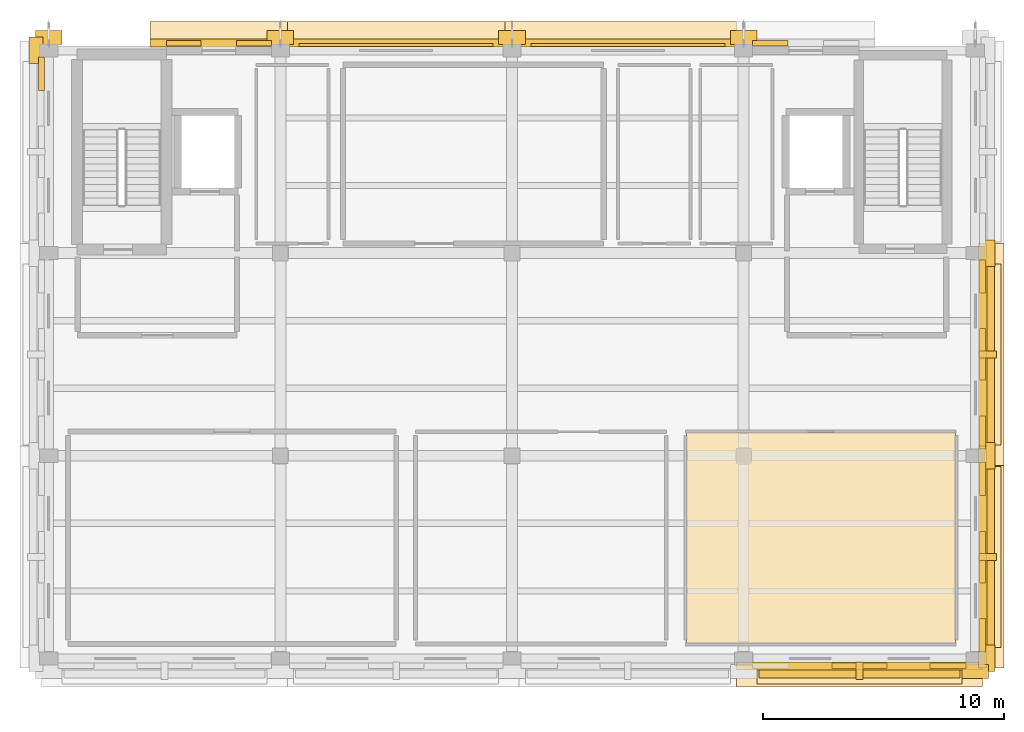
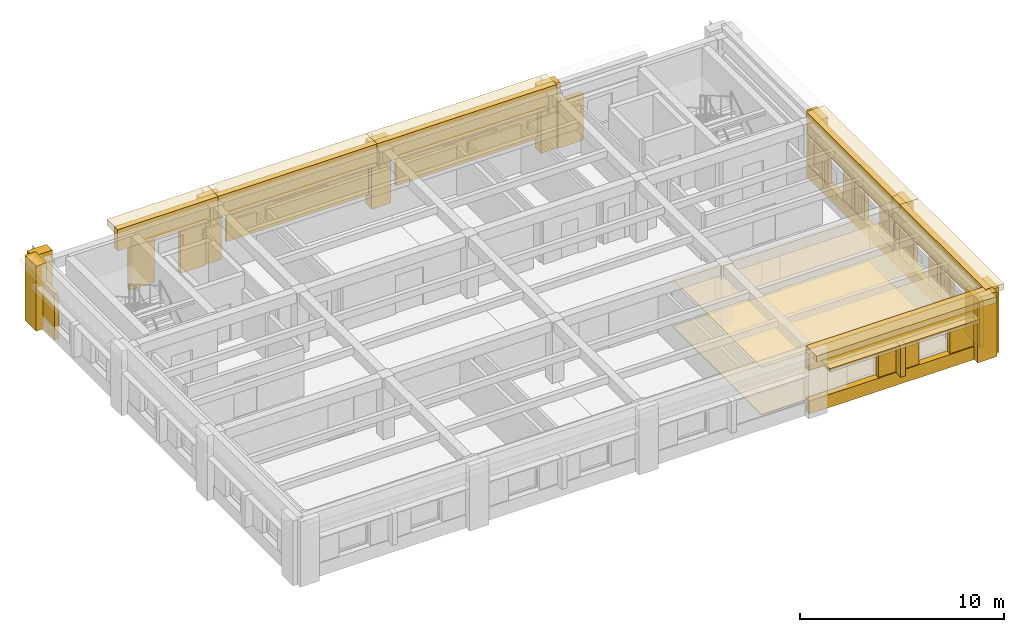
# One storey, part 8 of 9: 44 coverings, 5 shading devices.
"""IFC4 building model written with IfcOpenShell, lengths in metres."""

from ifc_helpers import new_model, si_unit, direction, frame, origin, origin_2d, place, context, subcontext, project, spatial, polyline, rectangle, outline, extrude, material, layer, layer_set, type_object, element, save


model = new_model("IFC4")

# Units and contexts
model_context = context("Model", 3, precision=1e-05, world=origin(), true_north=direction((0.0, 1.0)))
body_context = subcontext(model_context, "Body", "Model", "MODEL_VIEW")
ifc_project = project(units=[si_unit("LENGTHUNIT", "METRE"), si_unit("AREAUNIT", "SQUARE_METRE"), si_unit("VOLUMEUNIT", "CUBIC_METRE"), si_unit("PLANEANGLEUNIT", "RADIAN"), si_unit("MASSUNIT", "GRAM", prefix="KILO")], contexts=[model_context])

# Site, building, storey
site_placement = place(None, origin())
site = spatial("IfcSite", under=ifc_project, at=site_placement, CompositionType="ELEMENT")
building_placement = place(site_placement, origin())
building = spatial("IfcBuilding", under=site, at=building_placement, Name="Bempovik Park Faculty of Sciences", CompositionType="ELEMENT")
storey_placement = place(building_placement, frame((0.0, 0.0, 46.199951171875)))
storey = spatial("IfcBuildingStorey", under=building, at=storey_placement, Name="L11", CompositionType="ELEMENT", Elevation=46.199951171875)

# Coverings
ifc_material_1 = material(Name="Acoustic mineral ceiling tile")
ifc_layer_1 = layer(ifc_material_1, 0.0400390625)
ifc_layer_set_1 = layer_set([ifc_layer_1], Name="Acoustic mineral ceiling tile")
covering_type_1 = type_object("IfcCoveringType", Name="CE-01 Acoustic Ceiling 40mm", PredefinedType="CEILING", material=ifc_layer_set_1)
covering_1_placement = place(storey_placement, frame((0.0, 0.0, 2.81005859375)))
element("IfcCovering", 1, at=covering_1_placement, inside=storey, type_object=covering_type_1, Name="L11 Faculty Advisory Boardroom Acoustic Ceiling", PredefinedType="CEILING", context=body_context, shape_type="SweptSolid", body=[
    extrude(outline(polyline([(96.030029296875, 94.830078125), (107.169921875, 94.830078125), (107.169921875, 103.570068359375), (96.030029296875, 103.570068359375), (96.030029296875, 94.830078125)])), origin(), (0.0, 0.0, 1.0), 0.0400390625),
])
ifc_material_2 = material(Name="Precast concrete C40/50", Category="concrete")
ifc_layer_2 = layer(ifc_material_2, 0.179931640625)
ifc_layer_set_2 = layer_set([ifc_layer_2], Name="Precast concrete C40/50")
covering_type_2 = type_object("IfcCoveringType", Name="CL-02 Classical Cornice Band 180mm", PredefinedType="CLADDING", material=ifc_layer_set_2)
covering_2_placement = place(storey_placement, frame((108.6650390625, 98.39990234375, 3.5400390625), z_axis=(0.0, 0.0, 1.0), x_axis=(1.0, 0.0, 0.0)))
element("IfcCovering", 2, at=covering_2_placement, inside=storey, type_object=covering_type_2, Name="L11 Classical Projecting Dentil Cornice EW-L11-11289", PredefinedType="CLADDING", context=body_context, shape_type="SweptSolid", body=[
    extrude(rectangle(XDim=1.050048828125, YDim=9.196044921875, at=origin_2d()), origin(), (0.0, 0.0, 1.0), 0.360107421875),
])
covering_3_placement = place(storey_placement, frame((108.60009765625, 98.39990234375, 2.60986328125), z_axis=(0.0, 0.0, 1.0), x_axis=(1.0, 0.0, 0.0)))
element("IfcCovering", 3, at=covering_3_placement, inside=storey, type_object=covering_type_2, Name="L11 Classical Stone Solar Window Hood EW-L11-11289", PredefinedType="CLADDING", context=body_context, shape_type="SweptSolid", body=[
    extrude(rectangle(XDim=0.919921875, YDim=7.49609375, at=origin_2d()), origin(), (0.0, 0.0, 1.0), 0.219970703125),
])
covering_4_placement = place(storey_placement, frame((108.6650390625, 106.800048828125, 3.5400390625), z_axis=(0.0, 0.0, 1.0), x_axis=(1.0, 0.0, 0.0)))
element("IfcCovering", 4, at=covering_4_placement, inside=storey, type_object=covering_type_2, Name="L11 Classical Projecting Dentil Cornice EW-L11-11303", PredefinedType="CLADDING", context=body_context, shape_type="SweptSolid", body=[
    extrude(rectangle(XDim=1.050048828125, YDim=9.196044921875, at=origin_2d()), origin(), (0.0, 0.0, 1.0), 0.360107421875),
])
covering_5_placement = place(storey_placement, frame((108.60009765625, 106.800048828125, 2.60986328125), z_axis=(0.0, 0.0, 1.0), x_axis=(1.0, 0.0, 0.0)))
element("IfcCovering", 5, at=covering_5_placement, inside=storey, type_object=covering_type_2, Name="L11 Classical Stone Solar Window Hood EW-L11-11303", PredefinedType="CLADDING", context=body_context, shape_type="SweptSolid", body=[
    extrude(rectangle(XDim=0.919921875, YDim=7.49609375, at=origin_2d()), origin(), (0.0, 0.0, 1.0), 0.219970703125),
])
covering_6_placement = place(storey_placement, frame((76.6494140625, 120.06494140625, 3.5400390625), z_axis=(0.0, 0.0, 1.0), x_axis=(1.0, 0.0, 0.0)))
element("IfcCovering", 6, at=covering_6_placement, inside=storey, type_object=covering_type_2, Name="L11 Classical Projecting Dentil Cornice EW-L11-11329", PredefinedType="CLADDING", context=body_context, shape_type="SweptSolid", body=[
    extrude(rectangle(XDim=5.697021484375, YDim=1.050048828125, at=origin_2d()), origin(), (0.0, 0.0, 1.0), 0.360107421875),
])
for number, where, z_axis, x_axis, name in (
    (7, (84.0, 120.06494140625, 3.5400390625), (0.0, 0.0, 1.0), (1.0, 0.0, 0.0), "L11 Classical Projecting Dentil Cornice EW-L11-11337"),
    (8, (93.60009765625, 120.06494140625, 3.5400390625), (0.0, 0.0, 1.0), (1.0, 0.0, 0.0), "L11 Classical Projecting Dentil Cornice EW-L11-11343"),
    (9, (103.199951171875, 93.534912109375, 3.5400390625), (0.0, 0.0, 1.0), (1.0, 0.0, 0.0), "L11 Classical Projecting Dentil Cornice EW-L11-11434"),
):
    element("IfcCovering", number, at=place(storey_placement, frame(where, z_axis=z_axis, x_axis=x_axis)), inside=storey, type_object=covering_type_2, Name=name, PredefinedType="CLADDING", context=body_context, shape_type="SweptSolid", body=[
        extrude(rectangle(XDim=10.196044921875, YDim=1.050048828125, at=origin_2d()), origin(), (0.0, 0.0, 1.0), 0.360107421875),
    ])
covering_7_placement = place(storey_placement, frame((103.199951171875, 93.60009765625, 2.56005859375), z_axis=(0.0, 0.0, 1.0), x_axis=(1.0, 0.0, 0.0)))
element("IfcCovering", 10, at=covering_7_placement, inside=storey, type_object=covering_type_2, Name="L11 Classical Stone Solar Window Hood EW-L11-11434", PredefinedType="CLADDING", context=body_context, shape_type="SweptSolid", body=[
    extrude(rectangle(XDim=8.49609375, YDim=0.919921875, at=origin_2d()), origin(), (0.0, 0.0, 1.0), 0.219970703125),
])
ifc_material_3 = material(Name="White reconstituted limestone precast C40/50", Category="masonry")
ifc_layer_3 = layer(ifc_material_3, 0.239990234375)
ifc_layer_set_3 = layer_set([ifc_layer_3], Name="White reconstituted limestone precast C40/50")
covering_type_3 = type_object("IfcCoveringType", Name="CL-03 Classical Fluted Limestone Pilaster 240mm", PredefinedType="CLADDING", material=ifc_layer_set_3)
covering_8_placement = place(storey_placement, frame((108.31005859375, 98.39990234375, 2.6201171875), z_axis=(0.0, 0.0, 1.0), x_axis=(1.0, 0.0, 0.0)))
element("IfcCovering", 11, at=covering_8_placement, inside=storey, type_object=covering_type_3, Name="L11 Classical Limestone Spandrel Entablature EW-L11-11289", PredefinedType="CLADDING", context=body_context, shape_type="SweptSolid", body=[
    extrude(rectangle(XDim=0.340087890625, YDim=9.196044921875, at=origin_2d()), origin(), (0.0, 0.0, 1.0), 1.280029296875),
])
covering_9_placement = place(storey_placement, frame((108.31005859375, 98.39990234375, 0.0), z_axis=(0.0, 0.0, 1.0), x_axis=(1.0, 0.0, 0.0)))
element("IfcCovering", 12, at=covering_9_placement, inside=storey, type_object=covering_type_3, Name="L11 Classical Limestone Sill Dado EW-L11-11289", PredefinedType="CLADDING", context=body_context, shape_type="SweptSolid", body=[
    extrude(rectangle(XDim=0.340087890625, YDim=9.196044921875, at=origin_2d()), origin(), (0.0, 0.0, 1.0), 0.780029296875),
])
for number, where, z_axis, x_axis, name in (
    (13, (108.530029296875, 94.199951171875, 0.0), (0.0, 0.0, 1.0), (1.0, 0.0, 0.0), "L11 Classical Fluted Stone Pilaster PIL-BA-L11-1085-942"),
    (14, (108.530029296875, 102.60009765625, 0.0), (0.0, 0.0, 1.0), (1.0, 0.0, 0.0), "L11 Classical Fluted Stone Pilaster PIL-BA-L11-1085-1026"),
):
    element("IfcCovering", number, at=place(storey_placement, frame(where, z_axis=z_axis, x_axis=x_axis)), inside=storey, type_object=covering_type_3, Name=name, PredefinedType="CLADDING", context=body_context, shape_type="SweptSolid", body=[
        extrude(rectangle(XDim=0.580078125, YDim=1.10009765625, at=origin_2d()), origin(), (0.0, 0.0, 1.0), 3.89990234375),
    ])
covering_10_placement = place(storey_placement, frame((108.300048828125, 95.166259765625, 0.0), z_axis=(0.0, 0.0, 1.0), x_axis=(1.0, 0.0, 0.0)))
element("IfcCovering", 15, at=covering_10_placement, inside=storey, type_object=covering_type_3, Name="L11 White Limestone Wall Cheek EW-L11-11289-0", PredefinedType="CLADDING", context=body_context, shape_type="SweptSolid", body=[
    extrude(rectangle(XDim=0.239990234375, YDim=1.37841796875, at=origin_2d()), origin(), (0.0, 0.0, 1.0), 2.780029296875),
])
covering_11_placement = place(storey_placement, frame((108.300048828125, 98.39990234375, 0.0), z_axis=(0.0, 0.0, 1.0), x_axis=(1.0, 0.0, 0.0)))
element("IfcCovering", 16, at=covering_11_placement, inside=storey, type_object=covering_type_3, Name="L11 White Limestone Wall Cheek EW-L11-11289-2", PredefinedType="CLADDING", context=body_context, shape_type="SweptSolid", body=[
    extrude(rectangle(XDim=0.239990234375, YDim=2.129150390625, at=origin_2d()), origin(), (0.0, 0.0, 1.0), 2.780029296875),
])
covering_12_placement = place(storey_placement, frame((108.300048828125, 101.6337890625, 0.0), z_axis=(0.0, 0.0, 1.0), x_axis=(1.0, 0.0, 0.0)))
element("IfcCovering", 17, at=covering_12_placement, inside=storey, type_object=covering_type_3, Name="L11 White Limestone Wall Cheek EW-L11-11289-4", PredefinedType="CLADDING", context=body_context, shape_type="SweptSolid", body=[
    extrude(rectangle(XDim=0.239990234375, YDim=1.37841796875, at=origin_2d()), origin(), (0.0, 0.0, 1.0), 2.780029296875),
])
covering_13_placement = place(storey_placement, frame((108.510009765625, 98.39990234375, 0.7001953125), z_axis=(0.0, 0.0, 1.0), x_axis=(1.0, 0.0, 0.0)))
element("IfcCovering", 18, at=covering_13_placement, inside=storey, type_object=covering_type_3, Name="L11 Classical Vertical Stone Shading Fin EW-L11-11289", PredefinedType="CLADDING", context=body_context, shape_type="SweptSolid", body=[
    extrude(rectangle(XDim=0.719970703125, YDim=0.280029296875, at=origin_2d()), origin(), (0.0, 0.0, 1.0), 1.949951171875),
])
covering_14_placement = place(storey_placement, frame((108.31005859375, 106.800048828125, 2.6201171875), z_axis=(0.0, 0.0, 1.0), x_axis=(1.0, 0.0, 0.0)))
element("IfcCovering", 19, at=covering_14_placement, inside=storey, type_object=covering_type_3, Name="L11 Classical Limestone Spandrel Entablature EW-L11-11303", PredefinedType="CLADDING", context=body_context, shape_type="SweptSolid", body=[
    extrude(rectangle(XDim=0.340087890625, YDim=9.196044921875, at=origin_2d()), origin(), (0.0, 0.0, 1.0), 1.280029296875),
])
covering_15_placement = place(storey_placement, frame((108.31005859375, 106.800048828125, 0.0), z_axis=(0.0, 0.0, 1.0), x_axis=(1.0, 0.0, 0.0)))
element("IfcCovering", 20, at=covering_15_placement, inside=storey, type_object=covering_type_3, Name="L11 Classical Limestone Sill Dado EW-L11-11303", PredefinedType="CLADDING", context=body_context, shape_type="SweptSolid", body=[
    extrude(rectangle(XDim=0.340087890625, YDim=9.196044921875, at=origin_2d()), origin(), (0.0, 0.0, 1.0), 0.780029296875),
])
covering_16_placement = place(storey_placement, frame((108.530029296875, 111.0, 0.0), z_axis=(0.0, 0.0, 1.0), x_axis=(1.0, 0.0, 0.0)))
element("IfcCovering", 21, at=covering_16_placement, inside=storey, type_object=covering_type_3, Name="L11 Classical Fluted Stone Pilaster PIL-BA-L11-1085-1110", PredefinedType="CLADDING", context=body_context, shape_type="SweptSolid", body=[
    extrude(rectangle(XDim=0.580078125, YDim=1.10009765625, at=origin_2d()), origin(), (0.0, 0.0, 1.0), 3.89990234375),
])
covering_17_placement = place(storey_placement, frame((108.300048828125, 103.566162109375, 0.0), z_axis=(0.0, 0.0, 1.0), x_axis=(1.0, 0.0, 0.0)))
element("IfcCovering", 22, at=covering_17_placement, inside=storey, type_object=covering_type_3, Name="L11 White Limestone Wall Cheek EW-L11-11303-0", PredefinedType="CLADDING", context=body_context, shape_type="SweptSolid", body=[
    extrude(rectangle(XDim=0.239990234375, YDim=1.37841796875, at=origin_2d()), origin(), (0.0, 0.0, 1.0), 2.780029296875),
])
covering_18_placement = place(storey_placement, frame((108.300048828125, 106.800048828125, 0.0), z_axis=(0.0, 0.0, 1.0), x_axis=(1.0, 0.0, 0.0)))
element("IfcCovering", 23, at=covering_18_placement, inside=storey, type_object=covering_type_3, Name="L11 White Limestone Wall Cheek EW-L11-11303-2", PredefinedType="CLADDING", context=body_context, shape_type="SweptSolid", body=[
    extrude(rectangle(XDim=0.239990234375, YDim=2.129150390625, at=origin_2d()), origin(), (0.0, 0.0, 1.0), 2.780029296875),
])
covering_19_placement = place(storey_placement, frame((108.300048828125, 110.03369140625, 0.0), z_axis=(0.0, 0.0, 1.0), x_axis=(1.0, 0.0, 0.0)))
element("IfcCovering", 24, at=covering_19_placement, inside=storey, type_object=covering_type_3, Name="L11 White Limestone Wall Cheek EW-L11-11303-4", PredefinedType="CLADDING", context=body_context, shape_type="SweptSolid", body=[
    extrude(rectangle(XDim=0.239990234375, YDim=1.37841796875, at=origin_2d()), origin(), (0.0, 0.0, 1.0), 2.780029296875),
])
covering_20_placement = place(storey_placement, frame((108.510009765625, 106.800048828125, 0.7001953125), z_axis=(0.0, 0.0, 1.0), x_axis=(1.0, 0.0, 0.0)))
element("IfcCovering", 25, at=covering_20_placement, inside=storey, type_object=covering_type_3, Name="L11 Classical Vertical Stone Shading Fin EW-L11-11303", PredefinedType="CLADDING", context=body_context, shape_type="SweptSolid", body=[
    extrude(rectangle(XDim=0.719970703125, YDim=0.280029296875, at=origin_2d()), origin(), (0.0, 0.0, 1.0), 1.949951171875),
])
covering_21_placement = place(storey_placement, frame((76.6494140625, 119.7099609375, 2.6201171875), z_axis=(0.0, 0.0, 1.0), x_axis=(1.0, 0.0, 0.0)))
element("IfcCovering", 26, at=covering_21_placement, inside=storey, type_object=covering_type_3, Name="L11 Classical Limestone Spandrel Entablature EW-L11-11329", PredefinedType="CLADDING", context=body_context, shape_type="SweptSolid", body=[
    extrude(rectangle(XDim=5.697021484375, YDim=0.340087890625, at=origin_2d()), origin(), (0.0, 0.0, 1.0), 1.280029296875),
])
for number, where, z_axis, x_axis, name in (
    (27, (69.60009765625, 119.929931640625, 0.0), (0.0, 0.0, 1.0), (1.0, 0.0, 0.0), "L11 Classical Fluted Stone Pilaster PIL-BA-L11-696-1199"),
    (28, (79.199951171875, 119.929931640625, 0.0), (0.0, 0.0, 1.0), (1.0, 0.0, 0.0), "L11 Classical Fluted Stone Pilaster PIL-BA-L11-792-1199"),
):
    element("IfcCovering", number, at=place(storey_placement, frame(where, z_axis=z_axis, x_axis=x_axis)), inside=storey, type_object=covering_type_3, Name=name, PredefinedType="CLADDING", context=body_context, shape_type="SweptSolid", body=[
        extrude(rectangle(XDim=1.10009765625, YDim=0.580078125, at=origin_2d()), origin(), (0.0, 0.0, 1.0), 3.89990234375),
    ])
for number, where, z_axis, x_axis, name in (
    (29, (75.19287109375, 119.699951171875, 0.0), (0.0, 0.0, 1.0), (1.0, 0.0, 0.0), "L11 Stairwell White Limestone Cheek EW-L11-11329-1"),
    (30, (78.106201171875, 119.699951171875, 0.0), (0.0, 0.0, 1.0), (1.0, 0.0, 0.0), "L11 Stairwell White Limestone Cheek EW-L11-11329-2"),
):
    element("IfcCovering", number, at=place(storey_placement, frame(where, z_axis=z_axis, x_axis=x_axis)), inside=storey, type_object=covering_type_3, Name=name, PredefinedType="CLADDING", context=body_context, shape_type="SweptSolid", body=[
        extrude(rectangle(XDim=1.43359375, YDim=0.239990234375, at=origin_2d()), origin(), (0.0, 0.0, 1.0), 2.780029296875),
    ])
covering_22_placement = place(storey_placement, frame((84.0, 119.7099609375, 2.6201171875), z_axis=(0.0, 0.0, 1.0), x_axis=(1.0, 0.0, 0.0)))
element("IfcCovering", 31, at=covering_22_placement, inside=storey, type_object=covering_type_3, Name="L11 Classical Limestone Spandrel Entablature EW-L11-11337", PredefinedType="CLADDING", context=body_context, shape_type="SweptSolid", body=[
    extrude(rectangle(XDim=10.196044921875, YDim=0.340087890625, at=origin_2d()), origin(), (0.0, 0.0, 1.0), 1.280029296875),
])
covering_23_placement = place(storey_placement, frame((88.800048828125, 119.929931640625, 0.0), z_axis=(0.0, 0.0, 1.0), x_axis=(1.0, 0.0, 0.0)))
element("IfcCovering", 32, at=covering_23_placement, inside=storey, type_object=covering_type_3, Name="L11 Classical Fluted Stone Pilaster PIL-BA-L11-888-1199", PredefinedType="CLADDING", context=body_context, shape_type="SweptSolid", body=[
    extrude(rectangle(XDim=1.10009765625, YDim=0.580078125, at=origin_2d()), origin(), (0.0, 0.0, 1.0), 3.89990234375),
])
covering_24_placement = place(storey_placement, frame((93.60009765625, 119.7099609375, 2.6201171875), z_axis=(0.0, 0.0, 1.0), x_axis=(1.0, 0.0, 0.0)))
element("IfcCovering", 33, at=covering_24_placement, inside=storey, type_object=covering_type_3, Name="L11 Classical Limestone Spandrel Entablature EW-L11-11343", PredefinedType="CLADDING", context=body_context, shape_type="SweptSolid", body=[
    extrude(rectangle(XDim=10.196044921875, YDim=0.340087890625, at=origin_2d()), origin(), (0.0, 0.0, 1.0), 1.280029296875),
])
covering_25_placement = place(storey_placement, frame((98.39990234375, 119.929931640625, 0.0), z_axis=(0.0, 0.0, 1.0), x_axis=(1.0, 0.0, 0.0)))
element("IfcCovering", 34, at=covering_25_placement, inside=storey, type_object=covering_type_3, Name="L11 Classical Fluted Stone Pilaster PIL-BA-L11-984-1199", PredefinedType="CLADDING", context=body_context, shape_type="SweptSolid", body=[
    extrude(rectangle(XDim=1.10009765625, YDim=0.580078125, at=origin_2d()), origin(), (0.0, 0.0, 1.0), 3.89990234375),
])
covering_26_placement = place(storey_placement, frame((99.506103515625, 119.699951171875, 0.0), z_axis=(0.0, 0.0, 1.0), x_axis=(1.0, 0.0, 0.0)))
element("IfcCovering", 35, at=covering_26_placement, inside=storey, type_object=covering_type_3, Name="L11 Stairwell White Limestone Cheek EW-L11-11349-1", PredefinedType="CLADDING", context=body_context, shape_type="SweptSolid", body=[
    extrude(rectangle(XDim=1.45849609375, YDim=0.239990234375, at=origin_2d()), origin(), (0.0, 0.0, 1.0), 2.780029296875),
])
covering_27_placement = place(storey_placement, frame((69.070068359375, 119.39990234375, 0.0), z_axis=(0.0, 0.0, 1.0), x_axis=(1.0, 0.0, 0.0)))
element("IfcCovering", 36, at=covering_27_placement, inside=storey, type_object=covering_type_3, Name="L11 Classical Fluted Stone Pilaster PIL-BA-L11-691-1194", PredefinedType="CLADDING", context=body_context, shape_type="SweptSolid", body=[
    extrude(rectangle(XDim=0.580078125, YDim=1.10009765625, at=origin_2d()), origin(), (0.0, 0.0, 1.0), 3.89990234375),
])
covering_28_placement = place(storey_placement, frame((69.300048828125, 118.433837890625, 0.0), z_axis=(0.0, 0.0, 1.0), x_axis=(1.0, 0.0, 0.0)))
element("IfcCovering", 37, at=covering_28_placement, inside=storey, type_object=covering_type_3, Name="L11 White Limestone Wall Cheek EW-L11-11383-4", PredefinedType="CLADDING", context=body_context, shape_type="SweptSolid", body=[
    extrude(rectangle(XDim=0.239990234375, YDim=1.37841796875, at=origin_2d()), origin(), (0.0, 0.0, 1.0), 2.780029296875),
])
covering_29_placement = place(storey_placement, frame((103.199951171875, 93.889892578125, 2.6201171875), z_axis=(0.0, 0.0, 1.0), x_axis=(1.0, 0.0, 0.0)))
element("IfcCovering", 38, at=covering_29_placement, inside=storey, type_object=covering_type_3, Name="L11 Classical Limestone Spandrel Entablature EW-L11-11434", PredefinedType="CLADDING", context=body_context, shape_type="SweptSolid", body=[
    extrude(rectangle(XDim=10.196044921875, YDim=0.340087890625, at=origin_2d()), origin(), (0.0, 0.0, 1.0), 1.280029296875),
])
covering_30_placement = place(storey_placement, frame((103.199951171875, 93.889892578125, 0.0), z_axis=(0.0, 0.0, 1.0), x_axis=(1.0, 0.0, 0.0)))
element("IfcCovering", 39, at=covering_30_placement, inside=storey, type_object=covering_type_3, Name="L11 Classical Limestone Sill Dado EW-L11-11434", PredefinedType="CLADDING", context=body_context, shape_type="SweptSolid", body=[
    extrude(rectangle(XDim=10.196044921875, YDim=0.340087890625, at=origin_2d()), origin(), (0.0, 0.0, 1.0), 0.780029296875),
])
covering_31_placement = place(storey_placement, frame((108.0, 93.669921875, 0.0), z_axis=(0.0, 0.0, 1.0), x_axis=(1.0, 0.0, 0.0)))
element("IfcCovering", 40, at=covering_31_placement, inside=storey, type_object=covering_type_3, Name="L11 Classical Fluted Stone Pilaster PIL-BA-L11-1080-937", PredefinedType="CLADDING", context=body_context, shape_type="SweptSolid", body=[
    extrude(rectangle(XDim=1.10009765625, YDim=0.580078125, at=origin_2d()), origin(), (0.0, 0.0, 1.0), 3.89990234375),
])
covering_32_placement = place(storey_placement, frame((103.199951171875, 93.89990234375, 0.0), z_axis=(0.0, 0.0, 1.0), x_axis=(1.0, 0.0, 0.0)))
element("IfcCovering", 41, at=covering_32_placement, inside=storey, type_object=covering_type_3, Name="L11 White Limestone Wall Cheek EW-L11-11434-2", PredefinedType="CLADDING", context=body_context, shape_type="SweptSolid", body=[
    extrude(rectangle(XDim=2.289306640625, YDim=0.239990234375, at=origin_2d()), origin(), (0.0, 0.0, 1.0), 2.780029296875),
])
covering_33_placement = place(storey_placement, frame((106.873779296875, 93.89990234375, 0.0), z_axis=(0.0, 0.0, 1.0), x_axis=(1.0, 0.0, 0.0)))
element("IfcCovering", 42, at=covering_33_placement, inside=storey, type_object=covering_type_3, Name="L11 White Limestone Wall Cheek EW-L11-11434-4", PredefinedType="CLADDING", context=body_context, shape_type="SweptSolid", body=[
    extrude(rectangle(XDim=1.498291015625, YDim=0.239990234375, at=origin_2d()), origin(), (0.0, 0.0, 1.0), 2.780029296875),
])
covering_34_placement = place(storey_placement, frame((103.199951171875, 93.68994140625, 0.7001953125), z_axis=(0.0, 0.0, 1.0), x_axis=(1.0, 0.0, 0.0)))
element("IfcCovering", 43, at=covering_34_placement, inside=storey, type_object=covering_type_3, Name="L11 Classical Vertical Stone Shading Fin EW-L11-11434", PredefinedType="CLADDING", context=body_context, shape_type="SweptSolid", body=[
    extrude(rectangle(XDim=0.280029296875, YDim=0.719970703125, at=origin_2d()), origin(), (0.0, 0.0, 1.0), 1.89990234375),
])
ifc_material_4 = material(Name="Polished mineral terrazzo flooring")
ifc_layer_4 = layer(ifc_material_4, 0.030029296875)
ifc_layer_set_4 = layer_set([ifc_layer_4], Name="Polished mineral terrazzo flooring")
covering_type_4 = type_object("IfcCoveringType", Name="FL-01 Terrazzo Flooring 30mm", PredefinedType="FLOORING", material=ifc_layer_set_4)
covering_35_placement = place(storey_placement, origin())
element("IfcCovering", 44, at=covering_35_placement, inside=storey, type_object=covering_type_4, Name="L11 Faculty Advisory Boardroom Terrazzo Flooring", PredefinedType="FLOORING", context=body_context, shape_type="SweptSolid", body=[
    extrude(outline(polyline([(96.030029296875, 94.830078125), (107.169921875, 94.830078125), (107.169921875, 103.570068359375), (96.030029296875, 103.570068359375), (96.030029296875, 94.830078125)])), origin(), (0.0, 0.0, 1.0), 0.030029296875),
])

# Shading devices
ifc_material_5 = material(Name="Anodised architectural bronze")
ifc_layer_5 = layer(ifc_material_5, 0.06005859375)
ifc_layer_set_5 = layer_set([ifc_layer_5], Name="Anodised architectural bronze")
shading_device_type_1 = type_object("IfcShadingDeviceType", Name="SH-01 Bronze Brise-Soleil Fin", PredefinedType="USERDEFINED", material=ifc_layer_set_5)
for number, where, z_axis, x_axis, name in (
    (45, (108.47998046875, 98.39990234375, 2.550048828125), (0.0, 0.0, 1.0), (1.0, 0.0, 0.0), "L11 Equatorial Bronze Brise-Soleil EW-L11-11289"),
    (46, (108.47998046875, 106.800048828125, 2.550048828125), (0.0, 0.0, 1.0), (1.0, 0.0, 0.0), "L11 Equatorial Bronze Brise-Soleil EW-L11-11303"),
):
    element("IfcShadingDevice", number, at=place(storey_placement, frame(where, z_axis=z_axis, x_axis=x_axis)), inside=storey, type_object=shading_device_type_1, Name=name, ObjectType="BRISE SOLEIL", PredefinedType="USERDEFINED", context=body_context, shape_type="SweptSolid", body=[
        extrude(rectangle(XDim=0.64990234375, YDim=7.345947265625, at=origin_2d()), origin(), (0.0, 0.0, 1.0), 0.06005859375),
    ])
shading_device_placement = place(storey_placement, frame((103.199951171875, 93.719970703125, 2.5), z_axis=(0.0, 0.0, 1.0), x_axis=(1.0, 0.0, 0.0)))
element("IfcShadingDevice", 47, at=shading_device_placement, inside=storey, type_object=shading_device_type_1, Name="L11 Equatorial Bronze Brise-Soleil EW-L11-11434", ObjectType="BRISE SOLEIL", PredefinedType="USERDEFINED", context=body_context, shape_type="SweptSolid", body=[
    extrude(rectangle(XDim=8.345947265625, YDim=0.64990234375, at=origin_2d()), origin(), (0.0, 0.0, 1.0), 0.06005859375),
])
ifc_material_6 = material(Name="Anodised aluminium", Category="aluminium")
ifc_layer_6 = layer(ifc_material_6, 0.1201171875)
ifc_layer_set_6 = layer_set([ifc_layer_6], Name="Anodised aluminium")
shading_device_type_2 = type_object("IfcShadingDeviceType", Name="SH-02 Acoustic Plant Louvre Screen", PredefinedType="JALOUSIE", material=ifc_layer_set_6)
for number, where, z_axis, x_axis, name in (
    (48, (84.0, 119.6201171875, 1.0), (0.0, 0.0, 1.0), (1.0, 0.0, 0.0), "L11 Plant Room Acoustic Louvre EW-L11-11337"),
    (49, (93.60009765625, 119.6201171875, 1.0), (0.0, 0.0, 1.0), (1.0, 0.0, 0.0), "L11 Plant Room Acoustic Louvre EW-L11-11343"),
):
    element("IfcShadingDevice", number, at=place(storey_placement, frame(where, z_axis=z_axis, x_axis=x_axis)), inside=storey, type_object=shading_device_type_2, Name=name, PredefinedType="JALOUSIE", context=body_context, shape_type="SweptSolid", body=[
        extrude(rectangle(XDim=8.0458984375, YDim=0.1201171875, at=origin_2d()), origin(), (0.0, 0.0, 1.0), 1.60009765625),
    ])

save(model, "model.ifc")
